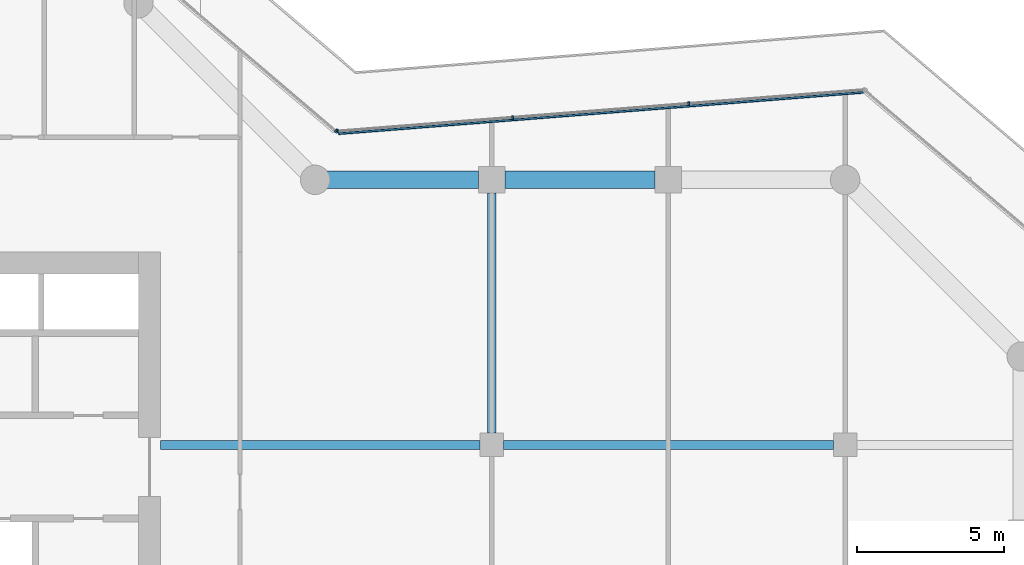
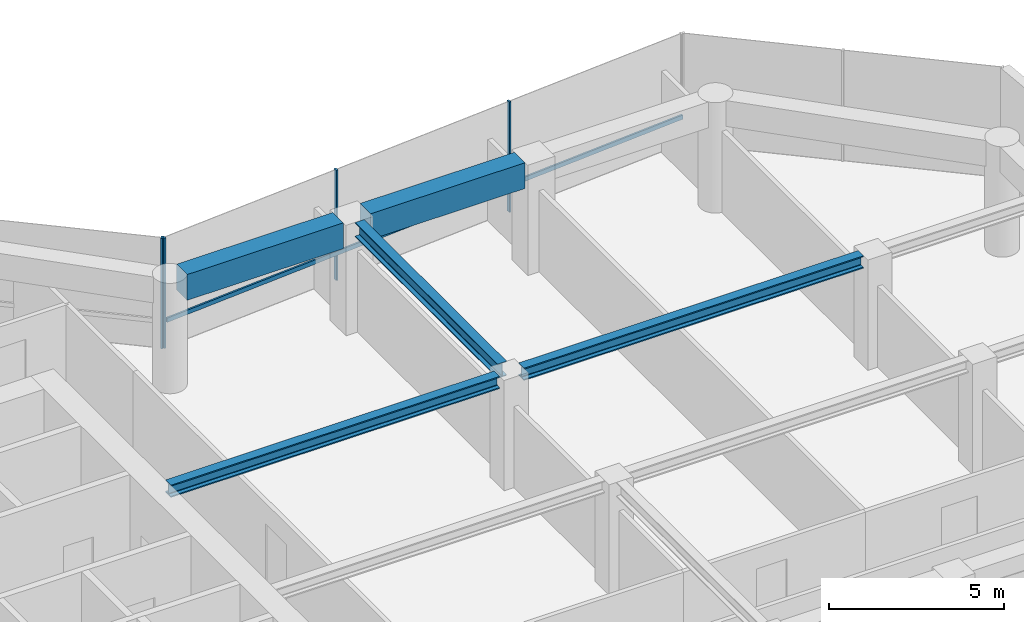
# One storey, part 8 of 25: 5 beams, 5 members, 2 elements without a shape of their own.
"""IFC4 building model written with IfcOpenShell, lengths in metres."""

from ifc_helpers import new_model, si_unit, direction, frame, origin, origin_2d, place, context, subcontext, project, spatial, rectangle, i_section, extrude, material, layer, layer_set, material_profile, profile_set, type_object, element, aggregate, save


model = new_model("IFC4")

# Units and contexts
model_context = context("Model", 3, precision=1e-05, world=origin(), true_north=direction((0.0, 1.0)))
body_context = subcontext(model_context, "Body", "Model", "MODEL_VIEW")
ifc_project = project(units=[si_unit("LENGTHUNIT", "METRE"), si_unit("AREAUNIT", "SQUARE_METRE"), si_unit("VOLUMEUNIT", "CUBIC_METRE"), si_unit("PLANEANGLEUNIT", "RADIAN"), si_unit("MASSUNIT", "GRAM", prefix="KILO")], contexts=[model_context])

# Site, building, storey
site_placement = place(None, origin())
site = spatial("IfcSite", under=ifc_project, at=site_placement, CompositionType="ELEMENT")
building_placement = place(site_placement, origin())
building = spatial("IfcBuilding", under=site, at=building_placement, Name="Welwitschia Terrace Campus", CompositionType="ELEMENT")
storey_placement = place(building_placement, frame((0.0, 0.0, 92.0)))
storey = spatial("IfcBuildingStorey", under=building, at=storey_placement, Name="L20", CompositionType="ELEMENT", Elevation=92.0)

# Beams
ifc_material_1 = material(Name="Steel S355", Category="steel")
ifc_material_profile_1 = material_profile(ifc_material_1, i_section(OverallWidth=0.306884765625, OverallDepth=0.431884765625, WebThickness=0.02099609375, FlangeThickness=0.0400390625, FilletRadius=0.027099609375, at=origin_2d()))
ifc_profile_set_1 = profile_set([ifc_material_profile_1], Name="Steel S355")
beam_type_1 = type_object("IfcBeamType", Name="Interior girder HE 400 M", PredefinedType="BEAM", material=ifc_profile_set_1)
beam_1_placement = place(storey_placement, frame((24.7509765625, 19.0, 3.634033203125), z_axis=(1.0, 0.0, 0.0), x_axis=(0.0, 1.0, 0.0)))
element("IfcBeam", 1, at=beam_1_placement, inside=storey, type_object=beam_type_1, Name="Girder GB3", PredefinedType="BEAM", context=body_context, shape_type="SweptSolid", body=[
    extrude(i_section(OverallWidth=0.306884765625, OverallDepth=0.431884765625, WebThickness=0.02099609375, FlangeThickness=0.0400390625, FilletRadius=0.027099609375, at=origin_2d()), origin(), (0.0, 0.0, 1.0), 10.8486328125),
])
beam_2_placement = place(storey_placement, frame((36.400390625, 19.0, 3.634033203125), z_axis=(1.0, 0.0, 0.0), x_axis=(0.0, 1.0, 0.0)))
element("IfcBeam", 2, at=beam_2_placement, inside=storey, type_object=beam_type_1, Name="Girder GB3", PredefinedType="BEAM", context=body_context, shape_type="SweptSolid", body=[
    extrude(i_section(OverallWidth=0.306884765625, OverallDepth=0.431884765625, WebThickness=0.02099609375, FlangeThickness=0.0400390625, FilletRadius=0.027099609375, at=origin_2d()), origin(), (0.0, 0.0, 1.0), 11.19921875),
])

# Curtain wall, members
ifc_material_2 = material(Name="Bronze anodised aluminium", Category="aluminium")
ifc_layer = layer(ifc_material_2, 0.1201171875)
ifc_layer_set = layer_set([ifc_layer], Name="Bronze anodised aluminium")
curtain_wall_type = type_object("IfcCurtainWallType", Name="Curtain wall CW2 tower 6000", PredefinedType="NOTDEFINED", material=ifc_layer_set)
curtain_wall_1_placement = place(storey_placement, origin())
curtain_wall_1 = element("IfcCurtainWall", 3, at=curtain_wall_1_placement, inside=storey, type_object=curtain_wall_type, Name="CW L20.8.0", PredefinedType="NOTDEFINED")
ifc_material_3 = material(Name="Bronze anodised aluminium", Category="aluminium")
ifc_material_profile_2 = material_profile(ifc_material_3, rectangle(XDim=0.1201171875, YDim=0.06005859375, at=origin_2d()))
ifc_profile_set_2 = profile_set([ifc_material_profile_2], Name="Bronze anodised aluminium")
member_type_1 = type_object("IfcMemberType", Name="Mullion 60x120", PredefinedType="MULLION", material=ifc_profile_set_2)
member_1_placement = place(storey_placement, frame((42.69140625, 30.59228515625, 0.0), z_axis=(0.0, 0.0, 1.0), x_axis=(0.078459095728, -0.996917333733, 0.0)))
member_1 = element("IfcMember", 4, at=member_1_placement, type_object=member_type_1, Name="Mullion L20.8.0.1", PredefinedType="MULLION", context=body_context, shape_type="SweptSolid", body=[
    extrude(rectangle(XDim=0.1201171875, YDim=0.06005859375, at=origin_2d()), origin(), (0.0, 0.0, 1.0), 3.85009765625),
])
member_2_placement = place(storey_placement, frame((36.7099609375, 30.121337890625, 0.0), z_axis=(0.0, 0.0, 1.0), x_axis=(0.078459095728, -0.996917333733, 0.0)))
member_2 = element("IfcMember", 5, at=member_2_placement, type_object=member_type_1, Name="Mullion L20.8.0.2", PredefinedType="MULLION", context=body_context, shape_type="SweptSolid", body=[
    extrude(rectangle(XDim=0.1201171875, YDim=0.06005859375, at=origin_2d()), origin(), (0.0, 0.0, 1.0), 3.85009765625),
])
member_3_placement = place(storey_placement, frame((30.75830078125, 29.653076171875, 0.0), z_axis=(0.0, 0.0, 1.0), x_axis=(0.078459095728, -0.996917333733, 0.0)))
member_3 = element("IfcMember", 6, at=member_3_placement, type_object=member_type_1, Name="Mullion L20.8.0.3", PredefinedType="MULLION", context=body_context, shape_type="SweptSolid", body=[
    extrude(rectangle(XDim=0.1201171875, YDim=0.06005859375, at=origin_2d()), origin(), (0.0, 0.0, 1.0), 3.85009765625),
])

# Curtain wall, member
curtain_wall_2_placement = place(storey_placement, origin())
curtain_wall_2 = element("IfcCurtainWall", 7, at=curtain_wall_2_placement, inside=storey, type_object=curtain_wall_type, Name="CW L20.9.0", PredefinedType="NOTDEFINED")
member_4_placement = place(storey_placement, frame((30.70556640625, 29.670166015625, 0.0), z_axis=(0.0, 0.0, 1.0), x_axis=(-0.64944804833, -0.7604059656, 0.0)))
member_4 = element("IfcMember", 8, at=member_4_placement, type_object=member_type_1, Name="Mullion L20.9.0.0", PredefinedType="MULLION", context=body_context, shape_type="SweptSolid", body=[
    extrude(rectangle(XDim=0.1201171875, YDim=0.06005859375, at=origin_2d()), origin(), (0.0, 0.0, 1.0), 3.85009765625),
])
aggregate(curtain_wall_2, [member_4])

# Beams
ifc_material_4 = material(Name="Steel S355", Category="steel")
ifc_material_profile_3 = material_profile(ifc_material_4, i_section(OverallWidth=0.300048828125, OverallDepth=0.5, WebThickness=0.014404296875, FlangeThickness=0.028076171875, FilletRadius=0.027099609375, at=origin_2d()))
ifc_profile_set_3 = profile_set([ifc_material_profile_3], Name="Steel S355")
beam_type_2 = type_object("IfcBeamType", Name="Primary beam HE 500 B", PredefinedType="BEAM", material=ifc_profile_set_3)
beam_3_placement = place(storey_placement, frame((36.0, 27.549560546875, 3.60009765625), z_axis=(0.0, -1.0, 0.0), x_axis=(1.0, 0.0, 0.0)))
element("IfcBeam", 9, at=beam_3_placement, inside=storey, type_object=beam_type_2, Name="Primary beam PB3", PredefinedType="BEAM", context=body_context, shape_type="SweptSolid", body=[
    extrude(i_section(OverallWidth=0.300048828125, OverallDepth=0.5, WebThickness=0.014404296875, FlangeThickness=0.028076171875, FilletRadius=0.027099609375, at=origin_2d()), origin(), (0.0, 0.0, 1.0), 8.149169921875),
])
ifc_material_5 = material(Name="Concrete C60/75", Category="concrete")
ifc_material_profile_4 = material_profile(ifc_material_5, rectangle(XDim=0.60009765625, YDim=0.89990234375, at=origin_2d()))
ifc_profile_set_4 = profile_set([ifc_material_profile_4], Name="Concrete C60/75")
beam_type_3 = type_object("IfcBeamType", Name="Ring spandrel 600x900", PredefinedType="SPANDREL", material=ifc_profile_set_4)
beam_4_placement = place(storey_placement, frame((41.549560546875, 28.0, 3.39990234375), z_axis=(-1.0, 0.0, 0.0), x_axis=(0.0, -1.0, 0.0)))
element("IfcBeam", 10, at=beam_4_placement, inside=storey, type_object=beam_type_3, Name="Spandrel SP2", PredefinedType="SPANDREL", context=body_context, shape_type="SweptSolid", body=[
    extrude(rectangle(XDim=0.60009765625, YDim=0.89990234375, at=origin_2d()), origin(), (0.0, 0.0, 1.0), 5.09912109375),
])
beam_5_placement = place(storey_placement, frame((35.549560546875, 28.0, 3.39990234375), z_axis=(-1.0, 0.0, 0.0), x_axis=(0.0, -1.0, 0.0)))
element("IfcBeam", 11, at=beam_5_placement, inside=storey, type_object=beam_type_3, Name="Spandrel SP2", PredefinedType="SPANDREL", context=body_context, shape_type="SweptSolid", body=[
    extrude(rectangle(XDim=0.60009765625, YDim=0.89990234375, at=origin_2d()), origin(), (0.0, 0.0, 1.0), 5.149169921875),
])

# Member
ifc_material_6 = material(Name="Bronze anodised aluminium", Category="aluminium")
ifc_material_profile_5 = material_profile(ifc_material_6, rectangle(XDim=0.06005859375, YDim=0.14990234375, at=origin_2d()))
ifc_profile_set_5 = profile_set([ifc_material_profile_5], Name="Bronze anodised aluminium")
member_type_2 = type_object("IfcMemberType", Name="Transom 60x150", PredefinedType="USERDEFINED", material=ifc_profile_set_5)
member_5_placement = place(storey_placement, frame((48.6201171875, 30.968505859375, 1.0), z_axis=(-0.996917430191, -0.0784578701, 0.0), x_axis=(0.0784578701, -0.996917430191, 0.0)))
member_5 = element("IfcMember", 12, at=member_5_placement, type_object=member_type_2, Name="Transom L20.8.0", ObjectType="TRANSOM", PredefinedType="USERDEFINED", context=body_context, shape_type="SweptSolid", body=[
    extrude(rectangle(XDim=0.06005859375, YDim=0.14990234375, at=origin_2d()), origin(), (0.0, 0.0, 1.0), 17.880126953125),
])

aggregate(curtain_wall_1, [member_1, member_2, member_3, member_5])

save(model, "model.ifc")
